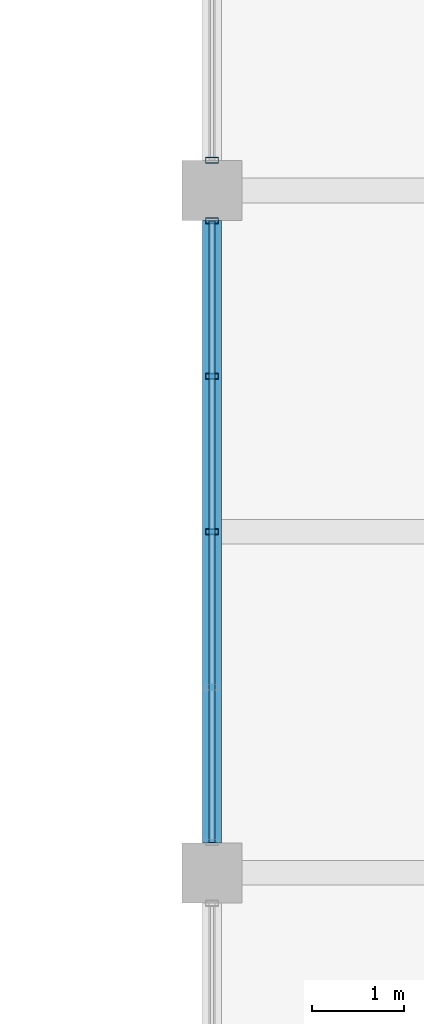
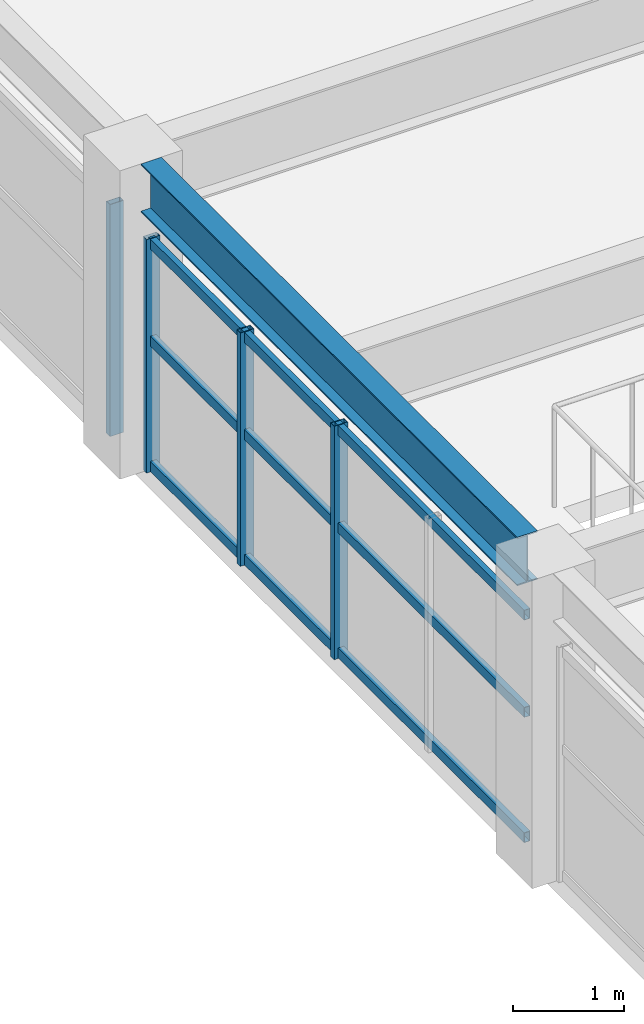
# One storey, part 32 of 93: 7 members, 1 beam, 2 elements without a shape of their own.
"""IFC4 building model written with IfcOpenShell, lengths in metres."""

from ifc_helpers import new_model, si_unit, direction, frame, origin, origin_2d, place, context, subcontext, project, spatial, hollow_rectangle, i_section, extrude, material, material_profile, profile_set, type_object, element, aggregate, save


model = new_model("IFC4")

# Units and contexts
model_context = context("Model", 3, precision=1e-05, world=origin(), true_north=direction((0.0, 1.0)))
body_context = subcontext(model_context, "Body", "Model", "MODEL_VIEW")
ifc_project = project(units=[si_unit("LENGTHUNIT", "METRE"), si_unit("AREAUNIT", "SQUARE_METRE"), si_unit("VOLUMEUNIT", "CUBIC_METRE"), si_unit("PLANEANGLEUNIT", "RADIAN"), si_unit("MASSUNIT", "GRAM", prefix="KILO")], contexts=[model_context])

# Site, building, storey
site_placement = place(None, origin())
site = spatial("IfcSite", under=ifc_project, at=site_placement, CompositionType="ELEMENT")
building_placement = place(site_placement, origin())
building = spatial("IfcBuilding", under=site, at=building_placement, Name="Cimatlan Art Gallery", CompositionType="ELEMENT")
storey_placement = place(building_placement, frame((0.0, 0.0, 13.800048828125)))
storey = spatial("IfcBuildingStorey", under=building, at=storey_placement, Name="L03", CompositionType="ELEMENT", Elevation=13.800048828125)

# Beam
ifc_material_1 = material(Name="Steel ASTM A992 Grade 50", Category="steel")
ifc_material_profile_1 = material_profile(ifc_material_1, i_section(OverallWidth=0.2099609375, OverallDepth=0.532958984375, WebThickness=0.01025390625, FlangeThickness=0.015625, at=origin_2d()), Name="W21X62")
ifc_profile_set_1 = profile_set([ifc_material_profile_1], Name="Steel ASTM A992 Grade 50")
beam_type = type_object("IfcBeamType", Name="BM-STL-W21X62", PredefinedType="BEAM", material=ifc_profile_set_1)
beam_placement = place(storey_placement, frame((74.89990234375, 46.425048828125, 3.113525390625), z_axis=(0.0, 1.0, 0.0), x_axis=(-1.0, 0.0, 0.0)))
element("IfcBeam", 1, at=beam_placement, inside=storey, type_object=beam_type, Name="BM-Y-L03-09-06", PredefinedType="BEAM", context=body_context, shape_type="SweptSolid", body=[
    extrude(i_section(OverallWidth=0.2099609375, OverallDepth=0.532958984375, WebThickness=0.01025390625, FlangeThickness=0.015625, at=origin_2d()), origin(), (0.0, 0.0, 1.0), 6.75),
])

# Curtain wall, members
ifc_material_2 = material(Name="Anodised bronze unitised curtain wall")
curtain_wall_type_1 = type_object("IfcCurtainWallType", Name="CW-V-06742X02558-B4", PredefinedType="NOTDEFINED", material=ifc_material_2)
curtain_wall_1_placement = place(storey_placement, origin())
curtain_wall_1 = element("IfcCurtainWall", 2, at=curtain_wall_1_placement, inside=storey, type_object=curtain_wall_type_1, Name="CW-L03-09-06-W", PredefinedType="NOTDEFINED")
ifc_material_3 = material(Name="Anodised bronze aluminium 6063-T6", Category="aluminium")
ifc_material_profile_2 = material_profile(ifc_material_3, hollow_rectangle(XDim=0.06494140625, YDim=0.139892578125, WallThickness=0.00390625, at=origin_2d()), Name="ALU65X140X4")
ifc_profile_set_2 = profile_set([ifc_material_profile_2], Name="Anodised bronze aluminium 6063-T6")
member_type_1 = type_object("IfcMemberType", Name="CW-MUL-140", PredefinedType="MULLION", material=ifc_profile_set_2)
member_1_placement = place(storey_placement, frame((74.89990234375, 49.800048828125, 0.0), z_axis=(0.0, 0.0, 1.0), x_axis=(0.0, 1.0, 0.0)))
member_1 = element("IfcMember", 3, at=member_1_placement, type_object=member_type_1, Name="CW-L03-09-06-W-M3", PredefinedType="MULLION", context=body_context, shape_type="SweptSolid", body=[
    extrude(hollow_rectangle(XDim=0.06494140625, YDim=0.139892578125, WallThickness=0.00390625, at=origin_2d()), origin(), (0.0, 0.0, 1.0), 2.557861328125),
])
member_2_placement = place(storey_placement, frame((74.89990234375, 51.485595703125, 0.0), z_axis=(0.0, 0.0, 1.0), x_axis=(0.0, 1.0, 0.0)))
member_2 = element("IfcMember", 4, at=member_2_placement, type_object=member_type_1, Name="CW-L03-09-06-W-M4", PredefinedType="MULLION", context=body_context, shape_type="SweptSolid", body=[
    extrude(hollow_rectangle(XDim=0.06494140625, YDim=0.139892578125, WallThickness=0.00390625, at=origin_2d()), origin(), (0.0, 0.0, 1.0), 2.557861328125),
])
member_3_placement = place(storey_placement, frame((74.89990234375, 53.1708984375, 0.0), z_axis=(0.0, 0.0, 1.0), x_axis=(0.0, 1.0, 0.0)))
member_3 = element("IfcMember", 5, at=member_3_placement, type_object=member_type_1, Name="CW-L03-09-06-W-M5", PredefinedType="MULLION", context=body_context, shape_type="SweptSolid", body=[
    extrude(hollow_rectangle(XDim=0.06494140625, YDim=0.139892578125, WallThickness=0.00390625, at=origin_2d()), origin(), (0.0, 0.0, 1.0), 2.557861328125),
])

# Curtain wall, member
curtain_wall_type_2 = type_object("IfcCurtainWallType", Name="CW-V-06742X02543-B3", PredefinedType="NOTDEFINED", material=ifc_material_2)
curtain_wall_2_placement = place(storey_placement, origin())
curtain_wall_2 = element("IfcCurtainWall", 6, at=curtain_wall_2_placement, inside=storey, type_object=curtain_wall_type_2, Name="CW-L03-09-07-W", PredefinedType="NOTDEFINED")
member_4_placement = place(storey_placement, frame((74.89990234375, 53.8291015625, 0.0), z_axis=(0.0, 0.0, 1.0), x_axis=(0.0, 1.0, 0.0)))
member_4 = element("IfcMember", 7, at=member_4_placement, type_object=member_type_1, Name="CW-L03-09-07-W-M1", PredefinedType="MULLION", context=body_context, shape_type="SweptSolid", body=[
    extrude(hollow_rectangle(XDim=0.06494140625, YDim=0.139892578125, WallThickness=0.00390625, at=origin_2d()), origin(), (0.0, 0.0, 1.0), 2.54296875),
])
aggregate(curtain_wall_2, [member_4])

# Member
ifc_material_profile_3 = material_profile(ifc_material_3, hollow_rectangle(XDim=0.06005859375, YDim=0.110107421875, WallThickness=0.00341796875, at=origin_2d()), Name="ALU60X110X3")
ifc_profile_set_3 = profile_set([ifc_material_profile_3], Name="Anodised bronze aluminium 6063-T6")
member_type_2 = type_object("IfcMemberType", Name="CW-TRN-110", PredefinedType="USERDEFINED", material=ifc_profile_set_3)
member_5_placement = place(storey_placement, frame((74.89990234375, 46.428955078125, 0.06005859375), z_axis=(0.0, 1.0, 0.0), x_axis=(-1.0, 0.0, 0.0)))
member_5 = element("IfcMember", 8, at=member_5_placement, type_object=member_type_2, Name="CW-L03-09-06-W-T1", ObjectType="TRANSOM", PredefinedType="USERDEFINED", context=body_context, shape_type="SweptSolid", body=[
    extrude(hollow_rectangle(XDim=0.06005859375, YDim=0.110107421875, WallThickness=0.00341796875, at=origin_2d()), origin(), (0.0, 0.0, 1.0), 6.741943359375),
])

member_6_placement = place(storey_placement, frame((74.89990234375, 46.428955078125, 1.432373046875), z_axis=(0.0, 1.0, 0.0), x_axis=(-1.0, 0.0, 0.0)))
member_6 = element("IfcMember", 9, at=member_6_placement, type_object=member_type_2, Name="CW-L03-09-06-W-T2", ObjectType="TRANSOM", PredefinedType="USERDEFINED", context=body_context, shape_type="SweptSolid", body=[
    extrude(hollow_rectangle(XDim=0.06005859375, YDim=0.110107421875, WallThickness=0.00341796875, at=origin_2d()), origin(), (0.0, 0.0, 1.0), 6.741943359375),
])

member_7_placement = place(storey_placement, frame((74.89990234375, 46.428955078125, 2.498046875), z_axis=(0.0, 1.0, 0.0), x_axis=(-1.0, 0.0, 0.0)))
member_7 = element("IfcMember", 10, at=member_7_placement, type_object=member_type_2, Name="CW-L03-09-06-W-T3", ObjectType="TRANSOM", PredefinedType="USERDEFINED", context=body_context, shape_type="SweptSolid", body=[
    extrude(hollow_rectangle(XDim=0.06005859375, YDim=0.110107421875, WallThickness=0.00341796875, at=origin_2d()), origin(), (0.0, 0.0, 1.0), 6.741943359375),
])

aggregate(curtain_wall_1, [member_1, member_2, member_3, member_5, member_6, member_7])

save(model, "model.ifc")
